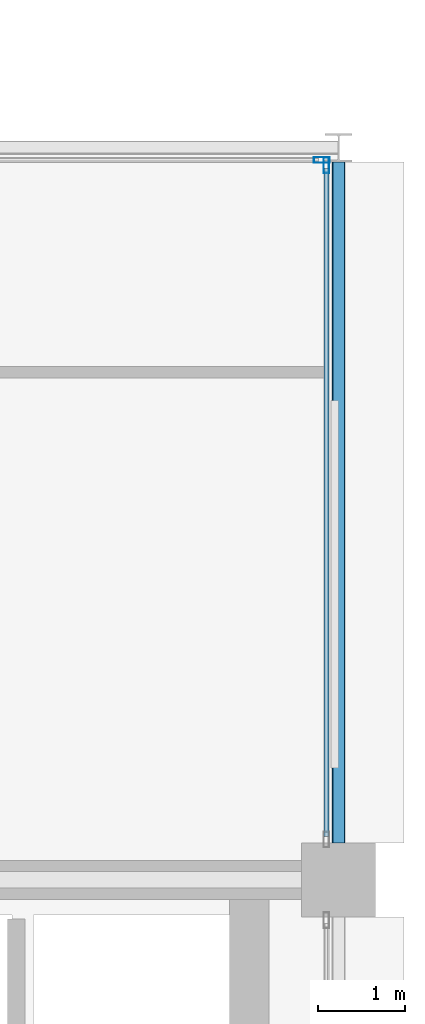
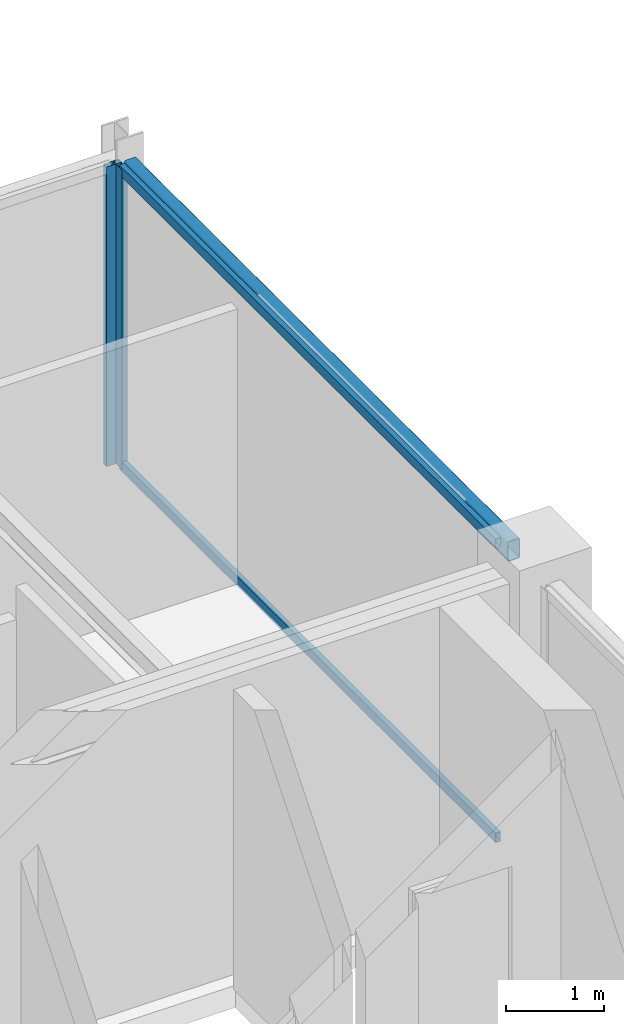
# One storey, part 15 of 25: 4 members, 1 beam, 2 elements without a shape of their own.
"""IFC4 building model written with IfcOpenShell, lengths in metres."""

from ifc_helpers import new_model, si_unit, direction, frame, origin, origin_2d, place, context, subcontext, project, spatial, hollow_rectangle, extrude, material, layer, layer_set, material_profile, profile_set, type_object, element, aggregate, save


model = new_model("IFC4")

# Units and contexts
model_context = context("Model", 3, precision=1e-05, world=origin(), true_north=direction((0.0, 1.0)))
body_context = subcontext(model_context, "Body", "Model", "MODEL_VIEW")
ifc_project = project(units=[si_unit("LENGTHUNIT", "METRE"), si_unit("AREAUNIT", "SQUARE_METRE"), si_unit("VOLUMEUNIT", "CUBIC_METRE"), si_unit("PLANEANGLEUNIT", "RADIAN"), si_unit("MASSUNIT", "GRAM", prefix="KILO")], contexts=[model_context])

# Site, building, storey
site_placement = place(None, origin())
site = spatial("IfcSite", under=ifc_project, at=site_placement, CompositionType="ELEMENT")
building_placement = place(site_placement, origin())
building = spatial("IfcBuilding", under=site, at=building_placement, Name="Nerrivon Quay Data Exchange", CompositionType="ELEMENT")
storey_placement = place(building_placement, frame((0.0, 0.0, 290.199951171875)))
storey = spatial("IfcBuildingStorey", under=building, at=storey_placement, Name="L69", CompositionType="ELEMENT", Elevation=290.199951171875)

# Beam
ifc_material_1 = material(Name="Steel Grade C350L0 (350 MPa)", Category="steel")
ifc_material_profile_1 = material_profile(ifc_material_1, hollow_rectangle(XDim=0.14990234375, YDim=0.25, WallThickness=0.009033203125, InnerFilletRadius=0.013427734375, OuterFilletRadius=0.0224609375, at=origin_2d()), Name="250x150x9.0RHS")
ifc_profile_set_1 = profile_set([ifc_material_profile_1], Name="Steel Grade C350L0 (350 MPa)")
beam_type = type_object("IfcBeamType", Name="BM-SP4-250x150RHS", PredefinedType="SPANDREL", material=ifc_profile_set_1)
beam_placement = place(storey_placement, frame((33.60009765625, 17.22509765625, 3.60009765625), z_axis=(0.0, 1.0, 0.0), x_axis=(-1.0, 0.0, 0.0)))
element("IfcBeam", 1, at=beam_placement, inside=storey, type_object=beam_type, Name="L69 NS Girder X=33.6 (16.8..25.2)", PredefinedType="SPANDREL", context=body_context, shape_type="SweptSolid", body=[
    extrude(hollow_rectangle(XDim=0.14990234375, YDim=0.25, WallThickness=0.009033203125, InnerFilletRadius=0.013427734375, OuterFilletRadius=0.0224609375, at=origin_2d()), origin(), (0.0, 0.0, 1.0), 7.8115234375),
])

# Curtain wall, member
ifc_material_2 = material(Name="Anodised aluminium 6063-T6", Category="aluminium")
ifc_layer = layer(ifc_material_2, 0.195068359375)
ifc_layer_set = layer_set([ifc_layer], Name="Anodised aluminium 6063-T6")
curtain_wall_type = type_object("IfcCurtainWallType", Name="CW-SYS-06", PredefinedType="NOTDEFINED", material=ifc_layer_set)
curtain_wall_1_placement = place(storey_placement, origin())
curtain_wall_1 = element("IfcCurtainWall", 2, at=curtain_wall_1_placement, inside=storey, type_object=curtain_wall_type, Name="L69 Unitised Curtain Wall 21", PredefinedType="NOTDEFINED")
ifc_material_profile_2 = material_profile(ifc_material_2, hollow_rectangle(XDim=0.06494140625, YDim=0.179931640625, WallThickness=0.00341796875, at=origin_2d()), Name="ALU-MULL-180x65")
ifc_profile_set_2 = profile_set([ifc_material_profile_2], Name="Anodised aluminium 6063-T6")
member_type_1 = type_object("IfcMemberType", Name="CWM-180x65", PredefinedType="MULLION", material=ifc_profile_set_2)
member_1_placement = place(storey_placement, frame((33.406982421875, 25.06005859375, 0.0), z_axis=(0.0, 0.0, 1.0), x_axis=(0.0, 1.0, 0.0)))
member_1 = element("IfcMember", 3, at=member_1_placement, type_object=member_type_1, Name="CW06 mullion 2", PredefinedType="MULLION", context=body_context, shape_type="SweptSolid", body=[
    extrude(hollow_rectangle(XDim=0.06494140625, YDim=0.179931640625, WallThickness=0.00341796875, at=origin_2d()), origin(), (0.0, 0.0, 1.0), 3.72509765625),
])
aggregate(curtain_wall_1, [member_1])

# Curtain wall, members
curtain_wall_2_placement = place(storey_placement, origin())
curtain_wall_2 = element("IfcCurtainWall", 4, at=curtain_wall_2_placement, inside=storey, type_object=curtain_wall_type, Name="L69 Unitised Curtain Wall 22", PredefinedType="NOTDEFINED")
member_2_placement = place(storey_placement, frame((33.4599609375, 24.9990234375, 0.0), z_axis=(0.0, 0.0, 1.0), x_axis=(1.0, 0.0, 0.0)))
member_2 = element("IfcMember", 5, at=member_2_placement, type_object=member_type_1, Name="CW06 mullion 1", PredefinedType="MULLION", context=body_context, shape_type="SweptSolid", body=[
    extrude(hollow_rectangle(XDim=0.06494140625, YDim=0.179931640625, WallThickness=0.00341796875, at=origin_2d()), origin(), (0.0, 0.0, 1.0), 3.72509765625),
])
ifc_material_profile_3 = material_profile(ifc_material_2, hollow_rectangle(XDim=0.06005859375, YDim=0.1201171875, WallThickness=0.003173828125, at=origin_2d()), Name="ALU-TRAN-120x60")
ifc_profile_set_3 = profile_set([ifc_material_profile_3], Name="Anodised aluminium 6063-T6")
member_type_2 = type_object("IfcMemberType", Name="CWT-120x60", PredefinedType="USERDEFINED", material=ifc_profile_set_3)
member_3_placement = place(storey_placement, frame((33.4599609375, 24.96142578125, 0.032470703125), z_axis=(0.0, -1.0, 0.0), x_axis=(1.0, 0.0, 0.0)))
member_3 = element("IfcMember", 6, at=member_3_placement, type_object=member_type_2, Name="CW06 transom 1.1", ObjectType="TRANSOM", PredefinedType="USERDEFINED", context=body_context, shape_type="SweptSolid", body=[
    extrude(hollow_rectangle(XDim=0.06005859375, YDim=0.1201171875, WallThickness=0.003173828125, at=origin_2d()), origin(), (0.0, 0.0, 1.0), 7.661376953125),
])
member_4_placement = place(storey_placement, frame((33.4599609375, 24.96142578125, 3.692626953125), z_axis=(0.0, -1.0, 0.0), x_axis=(1.0, 0.0, 0.0)))
member_4 = element("IfcMember", 7, at=member_4_placement, type_object=member_type_2, Name="CW06 transom 1.2", ObjectType="TRANSOM", PredefinedType="USERDEFINED", context=body_context, shape_type="SweptSolid", body=[
    extrude(hollow_rectangle(XDim=0.06005859375, YDim=0.1201171875, WallThickness=0.003173828125, at=origin_2d()), origin(), (0.0, 0.0, 1.0), 7.661376953125),
])
aggregate(curtain_wall_2, [member_2, member_3, member_4])

save(model, "model.ifc")
